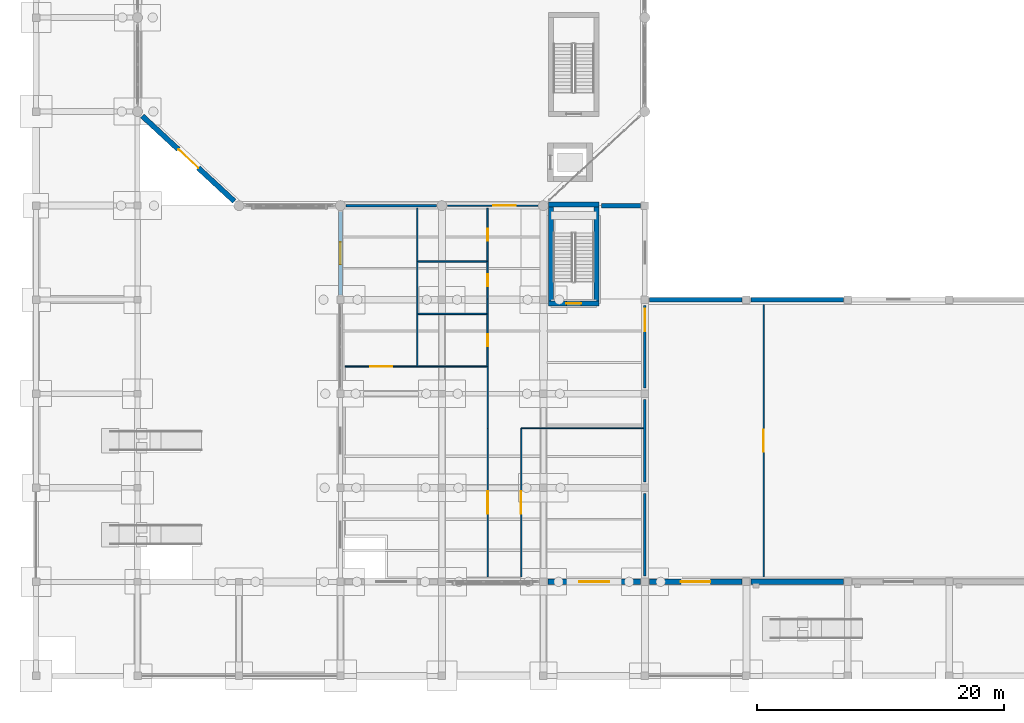
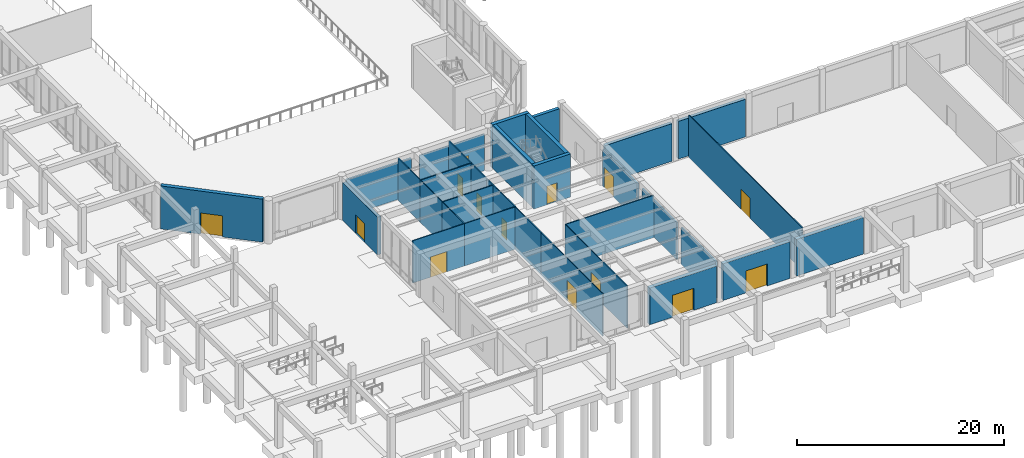
# One storey, part 42 of 64: 33 walls, 14 doors, 14 openings.
"""IFC4 building model written with IfcOpenShell, lengths in metres."""

from ifc_helpers import new_model, si_unit, direction, frame, frame_2d, origin, place, context, subcontext, project, spatial, rectangle, extrude, material, layer, layer_set, type_object, element, fill, save


model = new_model("IFC4")

# Units and contexts
model_context = context("Model", 3, precision=1e-05, world=origin(), true_north=direction((0.0, 1.0)))
body_context = subcontext(model_context, "Body", "Model", "MODEL_VIEW")
ifc_project = project(units=[si_unit("LENGTHUNIT", "METRE"), si_unit("AREAUNIT", "SQUARE_METRE"), si_unit("VOLUMEUNIT", "CUBIC_METRE"), si_unit("PLANEANGLEUNIT", "RADIAN"), si_unit("MASSUNIT", "GRAM", prefix="KILO")], contexts=[model_context])

# Site, building, storey
site_placement = place(None, origin())
site = spatial("IfcSite", under=ifc_project, at=site_placement, CompositionType="ELEMENT")
building_placement = place(site_placement, origin())
building = spatial("IfcBuilding", under=site, at=building_placement, Name="Qandaris Square Conservatory and Botanical Centre", CompositionType="ELEMENT")
storey_placement = place(building_placement, origin())
storey = spatial("IfcBuildingStorey", under=building, at=storey_placement, Name="L00", CompositionType="ELEMENT", Elevation=0.0)

# Walls
ifc_material_1 = material(Name="Precast concrete C40/50", Category="concrete")
ifc_layer_1 = layer(ifc_material_1, 0.360107421875)
ifc_layer_set_1 = layer_set([ifc_layer_1], Name="Precast concrete C40/50")
wall_type_1 = type_object("IfcWallType", Name="Architectural Precast Cladding Wall 360mm", PredefinedType="SOLIDWALL", material=ifc_layer_set_1)
for number, where, z_axis, x_axis, name in (
    (1, (73.239990234375, 39.39990234375, 0.0), (0.0, 0.0, 1.0), (-1.0, 0.0, 0.0), "Exterior Wall EW-V2-L00-3-4"),
    (2, (65.0400390625, 39.39990234375, 0.0), (0.0, 0.0, 1.0), (-1.0, 0.0, 0.0), "Exterior Wall EW-V2-L00-3-5"),
):
    element("IfcWall", number, at=place(storey_placement, frame(where, z_axis=z_axis, x_axis=x_axis)), inside=storey, type_object=wall_type_1, Name=name, PredefinedType="SOLIDWALL", context=body_context, shape_type="SweptSolid", body=[
        extrude(rectangle(XDim=7.47998046875, YDim=0.360107421875, at=frame_2d((3.739990234375, 0.0))), origin(), (0.0, 0.0, 1.0), 4.465087890625),
    ])
wall_1_placement = place(storey_placement, frame((53.7099609375, 47.0, 0.0), z_axis=(0.0, 0.0, 1.0), x_axis=(1.0, 0.0, 0.0)))
element("IfcWall", 3, at=wall_1_placement, inside=storey, type_object=wall_type_1, Name="Exterior Wall EW-V3A-L00-3-1", PredefinedType="SOLIDWALL", context=body_context, shape_type="SweptSolid", body=[
    extrude(rectangle(XDim=3.130126953125, YDim=0.360107421875, at=frame_2d((1.56494140625, 0.0))), origin(), (0.0, 0.0, 1.0), 4.465087890625),
])

# Wall, opening, door
wall_2_placement = place(storey_placement, frame((32.60009765625, 46.5400390625, 0.0), z_axis=(0.0, 0.0, 1.0), x_axis=(0.0, -1.0, 0.0)))
wall_2 = element("IfcWall", 4, at=wall_2_placement, inside=storey, type_object=wall_type_1, Name="Exterior Wall EW-V3A-L00-4-1", PredefinedType="SOLIDWALL", context=body_context, shape_type="SweptSolid", body=[
    extrude(rectangle(XDim=6.780029296875, YDim=0.360107421875, at=frame_2d((3.39013671875, 0.0))), origin(), (0.0, 0.0, 1.0), 4.465087890625),
])
opening_1_placement = place(wall_2_placement, frame((2.489990234375, 0.0, 0.0)))
opening_1 = element("IfcOpeningElement", 5, at=opening_1_placement, cuts=wall_2, Name="Opening ED-T3", PredefinedType="OPENING", context=body_context, shape_type="SweptSolid", body=[
    extrude(rectangle(XDim=1.800048828125, YDim=2.199951171875, at=frame_2d((0.89990234375, 1.10009765625))), frame((0.0, 0.19189453125, 0.0), z_axis=(0.0, -1.0, 0.0), x_axis=(1.0, 0.0, 0.0)), (0.0, 0.0, 1.0), 0.384033203125),
])
ifc_material_2 = material(Name="Anodised Aluminium", Category="aluminium")
door_type_1 = type_object("IfcDoorType", Name="Final Exit Escape Double Door 1800x2200", OperationType="DOUBLE_DOOR_SINGLE_SWING", PredefinedType="DOOR", material=ifc_material_2)
door_1_placement = place(opening_1_placement, frame((1.800048828125, 0.0, 0.0), z_axis=(0.0, 0.0, 1.0), x_axis=(-1.0, 0.0, 0.0)))
door_1 = element("IfcDoor", 6, at=door_1_placement, inside=storey, type_object=door_type_1, Name="DR-0079 Exterior Exit Door ED-10", OperationType="DOUBLE_DOOR_SINGLE_SWING", OverallHeight=2.199951171875, OverallWidth=1.800048828125, PredefinedType="DOOR", context=body_context, shape_type="SweptSolid", body=[
    extrude(rectangle(XDim=1.800048828125, YDim=2.199951171875, at=frame_2d((0.89990234375, 1.10009765625))), frame((0.0, 0.02490234375, 0.0), z_axis=(0.0, -1.0, 0.0), x_axis=(1.0, 0.0, 0.0)), (0.0, 0.0, 1.0), 0.050048828125),
])
fill(opening_1, door_1)

ifc_material_3 = material(Name="Tempered Low-E Glass", Category="glass")
ifc_layer_2 = layer(ifc_material_3, 0.10009765625)
ifc_layer_set_2 = layer_set([ifc_layer_2], Name="Tempered Low-E Glass")
wall_type_2 = type_object("IfcWallType", Name="Framed Acoustic Glazed Gallery Screen 100mm", PredefinedType="PARTITIONING", material=ifc_layer_set_2)
wall_3_placement = place(storey_placement, frame((41.25, 47.0, 0.0), z_axis=(0.0, 0.0, 1.0), x_axis=(1.0, 0.0, 0.0)))
wall_3 = element("IfcWall", 7, at=wall_3_placement, inside=storey, type_object=wall_type_2, Name="Compartment Wall PW-V3AV1-L00-2", PredefinedType="PARTITIONING", context=body_context, shape_type="SweptSolid", body=[
    extrude(rectangle(XDim=7.300048828125, YDim=0.10009765625, at=frame_2d((3.64990234375, 0.0))), origin(), (0.0, 0.0, 1.0), 4.3349609375),
])
opening_2_placement = place(wall_3_placement, frame((3.699951171875, 0.0, 0.0)))
opening_2 = element("IfcOpeningElement", 8, at=opening_2_placement, cuts=wall_3, Name="Opening D-GL1", PredefinedType="OPENING", context=body_context, shape_type="SweptSolid", body=[
    extrude(rectangle(XDim=1.800048828125, YDim=2.39990234375, at=frame_2d((0.89990234375, 1.199951171875))), frame((0.0, 0.06201171875, 0.0), z_axis=(0.0, -1.0, 0.0), x_axis=(1.0, 0.0, 0.0)), (0.0, 0.0, 1.0), 0.1240234375),
])
door_type_2 = type_object("IfcDoorType", Name="Visitor Gallery Glazed Double Door 1800x2400", OperationType="DOUBLE_DOOR_SINGLE_SWING", PredefinedType="DOOR", material=ifc_material_2)
door_2_placement = place(opening_2_placement, origin())
door_2 = element("IfcDoor", 9, at=door_2_placement, inside=storey, type_object=door_type_2, Name="DR-0048 Inter-Volume Connecting Door PVD-L00-V3AV1", OperationType="DOUBLE_DOOR_SINGLE_SWING", OverallHeight=2.39990234375, OverallWidth=1.800048828125, PredefinedType="DOOR", context=body_context, shape_type="SweptSolid", body=[
    extrude(rectangle(XDim=1.800048828125, YDim=2.39990234375, at=frame_2d((0.89990234375, 1.199951171875))), frame((0.0, 0.02490234375, 0.0), z_axis=(0.0, -1.0, 0.0), x_axis=(1.0, 0.0, 0.0)), (0.0, 0.0, 1.0), 0.050048828125),
])
fill(opening_2, door_2)

wall_4_placement = place(storey_placement, frame((66.800048828125, 39.0, 0.0), z_axis=(0.0, 0.0, 1.0), x_axis=(0.0, -1.0, 0.0)))
wall_4 = element("IfcWall", 10, at=wall_4_placement, inside=storey, type_object=wall_type_2, Name="Interior Partition IW-L00-0071", PredefinedType="PARTITIONING", context=body_context, shape_type="SweptSolid", body=[
    extrude(rectangle(XDim=22.0, YDim=0.10009765625, at=frame_2d((11.0, 0.0))), origin(), (0.0, 0.0, 1.0), 5.0048828125),
])
opening_3_placement = place(wall_4_placement, frame((10.10009765625, 0.0, 0.0)))
opening_3 = element("IfcOpeningElement", 11, at=opening_3_placement, cuts=wall_4, Name="Opening D-GL1", PredefinedType="OPENING", context=body_context, shape_type="SweptSolid", body=[
    extrude(rectangle(XDim=1.800048828125, YDim=2.39990234375, at=frame_2d((0.89990234375, 1.199951171875))), frame((0.0, 0.06201171875, 0.0), z_axis=(0.0, -1.0, 0.0), x_axis=(1.0, 0.0, 0.0)), (0.0, 0.0, 1.0), 0.1240234375),
])
door_3_placement = place(opening_3_placement, frame((1.800048828125, 0.0, 0.0), z_axis=(0.0, 0.0, 1.0), x_axis=(-1.0, 0.0, 0.0)))
door_3 = element("IfcDoor", 12, at=door_3_placement, inside=storey, type_object=door_type_2, Name="DR-0041 Auditorium Grand Foyer Door", OperationType="DOUBLE_DOOR_SINGLE_SWING", OverallHeight=2.39990234375, OverallWidth=1.800048828125, PredefinedType="DOOR", context=body_context, shape_type="SweptSolid", body=[
    extrude(rectangle(XDim=1.800048828125, YDim=2.39990234375, at=frame_2d((0.89990234375, 1.199951171875))), frame((0.0, 0.02490234375, 0.0), z_axis=(0.0, -1.0, 0.0), x_axis=(1.0, 0.0, 0.0)), (0.0, 0.0, 1.0), 0.050048828125),
])
fill(opening_3, door_3)

wall_5_placement = place(storey_placement, frame((44.5, 17.0, 0.0), z_axis=(0.0, 0.0, 1.0), x_axis=(0.0, 1.0, 0.0)))
wall_5 = element("IfcWall", 13, at=wall_5_placement, inside=storey, type_object=wall_type_2, Name="Interior Partition IW-L00-0075", PredefinedType="PARTITIONING", context=body_context, shape_type="SweptSolid", body=[
    extrude(rectangle(XDim=12.0, YDim=0.10009765625, at=frame_2d((6.0, 0.0))), origin(), (0.0, 0.0, 1.0), 5.0048828125),
])
opening_4_placement = place(wall_5_placement, frame((5.10009765625, 0.0, 0.0)))
opening_4 = element("IfcOpeningElement", 14, at=opening_4_placement, cuts=wall_5, Name="Opening D-GL1", PredefinedType="OPENING", context=body_context, shape_type="SweptSolid", body=[
    extrude(rectangle(XDim=1.800048828125, YDim=2.39990234375, at=frame_2d((0.89990234375, 1.199951171875))), frame((0.0, 0.06201171875, 0.0), z_axis=(0.0, -1.0, 0.0), x_axis=(1.0, 0.0, 0.0)), (0.0, 0.0, 1.0), 0.1240234375),
])
door_4_placement = place(opening_4_placement, frame((1.800048828125, 0.0, 0.0), z_axis=(0.0, 0.0, 1.0), x_axis=(-1.0, 0.0, 0.0)))
door_4 = element("IfcDoor", 15, at=door_4_placement, inside=storey, type_object=door_type_2, Name="DR-0042 Visitor Centre Welcome Hall and Ticketing Door", OperationType="DOUBLE_DOOR_SINGLE_SWING", OverallHeight=2.39990234375, OverallWidth=1.800048828125, PredefinedType="DOOR", context=body_context, shape_type="SweptSolid", body=[
    extrude(rectangle(XDim=1.800048828125, YDim=2.39990234375, at=frame_2d((0.89990234375, 1.199951171875))), frame((0.0, 0.02490234375, 0.0), z_axis=(0.0, -1.0, 0.0), x_axis=(1.0, 0.0, 0.0)), (0.0, 0.0, 1.0), 0.050048828125),
])
fill(opening_4, door_4)

# Walls
wall_6_placement = place(storey_placement, frame((44.5, 29.0, 0.0), z_axis=(0.0, 0.0, 1.0), x_axis=(0.0, 1.0, 0.0)))
element("IfcWall", 16, at=wall_6_placement, inside=storey, type_object=wall_type_2, Name="Interior Partition IW-L00-0076", PredefinedType="PARTITIONING", context=body_context, shape_type="SweptSolid", body=[
    extrude(rectangle(XDim=5.0, YDim=0.10009765625, at=frame_2d((2.5, 0.0))), origin(), (0.0, 0.0, 1.0), 5.0048828125),
])
wall_7_placement = place(storey_placement, frame((57.070068359375, 29.0, 0.0), z_axis=(0.0, 0.0, 1.0), x_axis=(-1.0, 0.0, 0.0)))
element("IfcWall", 17, at=wall_7_placement, inside=storey, type_object=wall_type_2, Name="Interior Partition IW-L00-0077", PredefinedType="PARTITIONING", context=body_context, shape_type="SweptSolid", body=[
    extrude(rectangle(XDim=9.8701171875, YDim=0.10009765625, at=frame_2d((4.93505859375, 0.0))), origin(), (0.0, 0.0, 1.0), 5.0048828125),
])

# Wall, opening, door
wall_8_placement = place(storey_placement, frame((47.199951171875, 29.0, 0.0), z_axis=(0.0, 0.0, 1.0), x_axis=(0.0, -1.0, 0.0)))
wall_8 = element("IfcWall", 18, at=wall_8_placement, inside=storey, type_object=wall_type_2, Name="Interior Partition IW-L00-0078", PredefinedType="PARTITIONING", context=body_context, shape_type="SweptSolid", body=[
    extrude(rectangle(XDim=12.0, YDim=0.10009765625, at=frame_2d((6.0, 0.0))), origin(), (0.0, 0.0, 1.0), 5.0048828125),
])
opening_5_placement = place(wall_8_placement, frame((5.10009765625, 0.0, 0.0)))
opening_5 = element("IfcOpeningElement", 19, at=opening_5_placement, cuts=wall_8, Name="Opening D-GL1", PredefinedType="OPENING", context=body_context, shape_type="SweptSolid", body=[
    extrude(rectangle(XDim=1.800048828125, YDim=2.39990234375, at=frame_2d((0.89990234375, 1.199951171875))), frame((0.0, 0.06201171875, 0.0), z_axis=(0.0, -1.0, 0.0), x_axis=(1.0, 0.0, 0.0)), (0.0, 0.0, 1.0), 0.1240234375),
])
door_5_placement = place(opening_5_placement, origin())
door_5 = element("IfcDoor", 20, at=door_5_placement, inside=storey, type_object=door_type_2, Name="DR-0043 Botanical Bookshop and Specimen Counter Door", OperationType="DOUBLE_DOOR_SINGLE_SWING", OverallHeight=2.39990234375, OverallWidth=1.800048828125, PredefinedType="DOOR", context=body_context, shape_type="SweptSolid", body=[
    extrude(rectangle(XDim=1.800048828125, YDim=2.39990234375, at=frame_2d((0.89990234375, 1.199951171875))), frame((0.0, 0.02490234375, 0.0), z_axis=(0.0, -1.0, 0.0), x_axis=(1.0, 0.0, 0.0)), (0.0, 0.0, 1.0), 0.050048828125),
])
fill(opening_5, door_5)

wall_9_placement = place(storey_placement, frame((33.0, 34.0, 0.0), z_axis=(0.0, 0.0, 1.0), x_axis=(1.0, 0.0, 0.0)))
wall_9 = element("IfcWall", 21, at=wall_9_placement, inside=storey, type_object=wall_type_2, Name="Interior Partition IW-L00-0083", PredefinedType="PARTITIONING", context=body_context, shape_type="SweptSolid", body=[
    extrude(rectangle(XDim=5.800048828125, YDim=0.10009765625, at=frame_2d((2.89990234375, 0.0))), origin(), (0.0, 0.0, 1.0), 5.0048828125),
])
opening_6_placement = place(wall_9_placement, frame((2.0, 0.0, 0.0)))
opening_6 = element("IfcOpeningElement", 22, at=opening_6_placement, cuts=wall_9, Name="Opening D-GL1", PredefinedType="OPENING", context=body_context, shape_type="SweptSolid", body=[
    extrude(rectangle(XDim=1.800048828125, YDim=2.39990234375, at=frame_2d((0.89990234375, 1.199951171875))), frame((0.0, 0.06201171875, 0.0), z_axis=(0.0, -1.0, 0.0), x_axis=(1.0, 0.0, 0.0)), (0.0, 0.0, 1.0), 0.1240234375),
])
door_6_placement = place(opening_6_placement, origin())
door_6 = element("IfcDoor", 23, at=door_6_placement, inside=storey, type_object=door_type_2, Name="DR-0044 Visitor Centre Welcome Hall and Ticketing Door", OperationType="DOUBLE_DOOR_SINGLE_SWING", OverallHeight=2.39990234375, OverallWidth=1.800048828125, PredefinedType="DOOR", context=body_context, shape_type="SweptSolid", body=[
    extrude(rectangle(XDim=1.800048828125, YDim=2.39990234375, at=frame_2d((0.89990234375, 1.199951171875))), frame((0.0, 0.02490234375, 0.0), z_axis=(0.0, -1.0, 0.0), x_axis=(1.0, 0.0, 0.0)), (0.0, 0.0, 1.0), 0.050048828125),
])
fill(opening_6, door_6)

# Walls
wall_10_placement = place(storey_placement, frame((38.800048828125, 34.0, 0.0), z_axis=(0.0, 0.0, 1.0), x_axis=(1.0, 0.0, 0.0)))
element("IfcWall", 24, at=wall_10_placement, inside=storey, type_object=wall_type_2, Name="Interior Partition IW-L00-0084", PredefinedType="PARTITIONING", context=body_context, shape_type="SweptSolid", body=[
    extrude(rectangle(XDim=5.699951171875, YDim=0.10009765625, at=frame_2d((2.85009765625, 0.0))), origin(), (0.0, 0.0, 1.0), 5.0048828125),
])
for number, where, z_axis, x_axis, name in (
    (25, (38.800048828125, 38.25, 0.0), (0.0, 0.0, 1.0), (0.0, -1.0, 0.0), "Interior Partition IW-L00-0085"),
    (26, (38.800048828125, 42.5, 0.0), (0.0, 0.0, 1.0), (0.0, -1.0, 0.0), "Interior Partition IW-L00-0086"),
):
    element("IfcWall", number, at=place(storey_placement, frame(where, z_axis=z_axis, x_axis=x_axis)), inside=storey, type_object=wall_type_2, Name=name, PredefinedType="PARTITIONING", context=body_context, shape_type="SweptSolid", body=[
        extrude(rectangle(XDim=4.25, YDim=0.10009765625, at=frame_2d((2.125, 0.0))), origin(), (0.0, 0.0, 1.0), 5.0048828125),
    ])
wall_11_placement = place(storey_placement, frame((38.800048828125, 46.800048828125, 0.0), z_axis=(0.0, 0.0, 1.0), x_axis=(0.0, -1.0, 0.0)))
element("IfcWall", 27, at=wall_11_placement, inside=storey, type_object=wall_type_2, Name="Interior Partition IW-L00-0087", PredefinedType="PARTITIONING", context=body_context, shape_type="SweptSolid", body=[
    extrude(rectangle(XDim=4.300048828125, YDim=0.10009765625, at=frame_2d((2.14990234375, 0.0))), origin(), (0.0, 0.0, 1.0), 5.0048828125),
])
ifc_material_4 = material(Name="Concrete C40/50", Category="concrete")
ifc_layer_3 = layer(ifc_material_4, 0.199951171875)
ifc_layer_set_3 = layer_set([ifc_layer_3], Name="Concrete C40/50")
wall_type_3 = type_object("IfcWallType", Name="Herbarium & Plant Compartment Wall 200mm", PredefinedType="PARTITIONING", material=ifc_layer_set_3)
wall_12_placement = place(storey_placement, frame((57.199951171875, 17.050048828125, 0.0), z_axis=(0.0, 0.0, 1.0), x_axis=(0.0, 1.0, 0.0)))
element("IfcWall", 28, at=wall_12_placement, inside=storey, type_object=wall_type_3, Name="Compartment Wall PW-V3AV2-L00-1", PredefinedType="PARTITIONING", context=body_context, shape_type="SweptSolid", body=[
    extrude(rectangle(XDim=6.699951171875, YDim=0.199951171875, at=frame_2d((3.35009765625, 0.0))), origin(), (0.0, 0.0, 1.0), 4.3349609375),
])
wall_13_placement = place(storey_placement, frame((57.199951171875, 24.64990234375, 0.0), z_axis=(0.0, 0.0, 1.0), x_axis=(0.0, 1.0, 0.0)))
element("IfcWall", 29, at=wall_13_placement, inside=storey, type_object=wall_type_3, Name="Compartment Wall PW-V3AV2-L00-2", PredefinedType="PARTITIONING", context=body_context, shape_type="SweptSolid", body=[
    extrude(rectangle(XDim=6.7001953125, YDim=0.199951171875, at=frame_2d((3.35009765625, 0.0))), origin(), (0.0, 0.0, 1.0), 4.3349609375),
])

# Wall, opening, door
wall_14_placement = place(storey_placement, frame((57.199951171875, 32.25, 0.0), z_axis=(0.0, 0.0, 1.0), x_axis=(0.0, 1.0, 0.0)))
wall_14 = element("IfcWall", 30, at=wall_14_placement, inside=storey, type_object=wall_type_3, Name="Compartment Wall PW-V3AV2-L00-3", PredefinedType="PARTITIONING", context=body_context, shape_type="SweptSolid", body=[
    extrude(rectangle(XDim=6.699951171875, YDim=0.199951171875, at=frame_2d((3.35009765625, 0.0))), origin(), (0.0, 0.0, 1.0), 4.3349609375),
])
opening_7_placement = place(wall_14_placement, frame((4.60009765625, 0.0, 0.0)))
opening_7 = element("IfcOpeningElement", 31, at=opening_7_placement, cuts=wall_14, Name="Opening D-AUD1", PredefinedType="OPENING", context=body_context, shape_type="SweptSolid", body=[
    extrude(rectangle(XDim=1.800048828125, YDim=2.39990234375, at=frame_2d((0.89990234375, 1.199951171875))), frame((0.0, 0.11181640625, 0.0), z_axis=(0.0, -1.0, 0.0), x_axis=(1.0, 0.0, 0.0)), (0.0, 0.0, 1.0), 0.223876953125),
])
ifc_material_5 = material(Name="Engineered Oak Timber", Category="wood")
door_type_3 = type_object("IfcDoorType", Name="Auditorium Acoustic Vestibule Double Door 1800x2400", OperationType="DOUBLE_DOOR_SINGLE_SWING", PredefinedType="DOOR", material=ifc_material_5)
door_7_placement = place(opening_7_placement, origin())
door_7 = element("IfcDoor", 32, at=door_7_placement, inside=storey, type_object=door_type_3, Name="DR-0034 Inter-Volume Connecting Door PVD-L00-V3AV2", OperationType="DOUBLE_DOOR_SINGLE_SWING", OverallHeight=2.39990234375, OverallWidth=1.800048828125, PredefinedType="DOOR", context=body_context, shape_type="SweptSolid", body=[
    extrude(rectangle(XDim=1.800048828125, YDim=2.39990234375, at=frame_2d((0.89990234375, 1.199951171875))), frame((0.0, 0.02490234375, 0.0), z_axis=(0.0, -1.0, 0.0), x_axis=(1.0, 0.0, 0.0)), (0.0, 0.0, 1.0), 0.050048828125),
])
fill(opening_7, door_7)

# Wall
wall_15_placement = place(storey_placement, frame((33.050048828125, 47.0, 0.0), z_axis=(0.0, 0.0, 1.0), x_axis=(1.0, 0.0, 0.0)))
element("IfcWall", 33, at=wall_15_placement, inside=storey, type_object=wall_type_3, Name="Compartment Wall PW-V3AV1-L00-1", PredefinedType="PARTITIONING", context=body_context, shape_type="SweptSolid", body=[
    extrude(rectangle(XDim=7.300048828125, YDim=0.199951171875, at=frame_2d((3.64990234375, 0.0))), origin(), (0.0, 0.0, 1.0), 4.3349609375),
])

# Wall, opening, door
ifc_layer_4 = layer(ifc_material_4, 0.419921875)
ifc_layer_set_4 = layer_set([ifc_layer_4], Name="Concrete C40/50")
wall_type_4 = type_object("IfcWallType", Name="Insulated Qatari Limestone Cavity Wall 420mm", PredefinedType="SOLIDWALL", material=ifc_layer_set_4)
wall_16_placement = place(storey_placement, frame((16.581298828125, 54.24658203125, 0.0), z_axis=(0.0, 0.0, 1.0), x_axis=(0.73343029662, -0.67976466516, 0.0)))
wall_16 = element("IfcWall", 34, at=wall_16_placement, inside=storey, type_object=wall_type_4, Name="Conservatory Entrance Limestone Portal", PredefinedType="SOLIDWALL", context=body_context, shape_type="SweptSolid", body=[
    extrude(rectangle(XDim=10.140380859375, YDim=0.419921875, at=frame_2d((5.0703125, 0.0))), origin(), (0.0, 0.0, 1.0), 5.0849609375),
])
opening_8_placement = place(wall_16_placement, frame((3.97021484375, 0.0, 0.0)))
opening_8 = element("IfcOpeningElement", 35, at=opening_8_placement, cuts=wall_16, Name="Opening ED-T2", PredefinedType="OPENING", context=body_context, shape_type="SweptSolid", body=[
    extrude(rectangle(XDim=2.199951171875, YDim=2.5, at=frame_2d((1.10009765625, 1.25))), frame((0.0, 0.221923828125, 0.0), z_axis=(0.0, -1.0, 0.0), x_axis=(1.0, 0.0, 0.0)), (0.0, 0.0, 1.0), 0.44384765625),
])
door_type_4 = type_object("IfcDoorType", Name="Conservatory Biome Vestibule Double Door 2200x2500", OperationType="DOUBLE_DOOR_SINGLE_SWING", PredefinedType="DOOR", material=ifc_material_2)
door_8_placement = place(opening_8_placement, frame((2.199951171875, 0.0, 0.0), z_axis=(0.0, 0.0, 1.0), x_axis=(-1.0, 0.0, 0.0)))
door_8 = element("IfcDoor", 36, at=door_8_placement, inside=storey, type_object=door_type_4, Name="DR-0075 Conservatory West Forecourt Entrance ED-01", OperationType="DOUBLE_DOOR_SINGLE_SWING", OverallHeight=2.5, OverallWidth=2.199951171875, PredefinedType="DOOR", context=body_context, shape_type="SweptSolid", body=[
    extrude(rectangle(XDim=2.199951171875, YDim=2.5, at=frame_2d((1.10009765625, 1.25))), frame((0.0, 0.02490234375, 0.0), z_axis=(0.0, -1.0, 0.0), x_axis=(1.0, 0.0, 0.0)), (0.0, 0.0, 1.0), 0.050048828125),
])
fill(opening_8, door_8)

wall_17_placement = place(storey_placement, frame((57.56005859375, 16.60009765625, 0.0), z_axis=(0.0, 0.0, 1.0), x_axis=(1.0, 0.0, 0.0)))
wall_17 = element("IfcWall", 37, at=wall_17_placement, inside=storey, type_object=wall_type_4, Name="Exterior Wall EW-V2-L00-1-1", PredefinedType="SOLIDWALL", context=body_context, shape_type="SweptSolid", body=[
    extrude(rectangle(XDim=7.47998046875, YDim=0.419921875, at=frame_2d((3.739990234375, 0.0))), origin(), (0.0, 0.0, 1.0), 4.3349609375),
])
opening_9_placement = place(wall_17_placement, frame((2.5400390625, 0.0, 0.0)))
opening_9 = element("IfcOpeningElement", 38, at=opening_9_placement, cuts=wall_17, Name="Opening ED-T1", PredefinedType="OPENING", context=body_context, shape_type="SweptSolid", body=[
    extrude(rectangle(XDim=2.39990234375, YDim=2.60009765625, at=frame_2d((1.199951171875, 1.300048828125))), frame((0.0, 0.221923828125, 0.0), z_axis=(0.0, -1.0, 0.0), x_axis=(1.0, 0.0, 0.0)), (0.0, 0.0, 1.0), 0.44384765625),
])
door_type_5 = type_object("IfcDoorType", Name="Main Civic Entrance Double Glazed Door 2400x2600", OperationType="DOUBLE_DOOR_SINGLE_SWING", PredefinedType="DOOR", material=ifc_material_2)
door_9_placement = place(opening_9_placement, frame((2.39990234375, 0.0, 0.0), z_axis=(0.0, 0.0, 1.0), x_axis=(-1.0, 0.0, 0.0)))
door_9 = element("IfcDoor", 39, at=door_9_placement, inside=storey, type_object=door_type_5, Name="DR-0069 Exterior Exit Door ED-02", OperationType="DOUBLE_DOOR_SINGLE_SWING", OverallHeight=2.60009765625, OverallWidth=2.39990234375, PredefinedType="DOOR", context=body_context, shape_type="SweptSolid", body=[
    extrude(rectangle(XDim=2.39990234375, YDim=2.60009765625, at=frame_2d((1.199951171875, 1.300048828125))), frame((0.0, 0.02490234375, 0.0), z_axis=(0.0, -1.0, 0.0), x_axis=(1.0, 0.0, 0.0)), (0.0, 0.0, 1.0), 0.050048828125),
])
fill(opening_9, door_9)

# Wall
wall_18_placement = place(storey_placement, frame((65.760009765625, 16.60009765625, 0.0), z_axis=(0.0, 0.0, 1.0), x_axis=(1.0, 0.0, 0.0)))
element("IfcWall", 40, at=wall_18_placement, inside=storey, type_object=wall_type_4, Name="Exterior Wall EW-V2-L00-1-2", PredefinedType="SOLIDWALL", context=body_context, shape_type="SweptSolid", body=[
    extrude(rectangle(XDim=7.47998046875, YDim=0.419921875, at=frame_2d((3.739990234375, 0.0))), origin(), (0.0, 0.0, 1.0), 4.3349609375),
])

# Wall, opening, door
wall_19_placement = place(storey_placement, frame((49.360107421875, 16.60009765625, 0.0), z_axis=(0.0, 0.0, 1.0), x_axis=(1.0, 0.0, 0.0)))
wall_19 = element("IfcWall", 41, at=wall_19_placement, inside=storey, type_object=wall_type_4, Name="Exterior Wall EW-V3A-L00-1-3", PredefinedType="SOLIDWALL", context=body_context, shape_type="SweptSolid", body=[
    extrude(rectangle(XDim=7.47998046875, YDim=0.419921875, at=frame_2d((3.739990234375, 0.0))), origin(), (0.0, 0.0, 1.0), 4.3349609375),
])
opening_10_placement = place(wall_19_placement, frame((2.5400390625, 0.0, 0.0)))
opening_10 = element("IfcOpeningElement", 42, at=opening_10_placement, cuts=wall_19, Name="Opening ED-T1", PredefinedType="OPENING", context=body_context, shape_type="SweptSolid", body=[
    extrude(rectangle(XDim=2.39990234375, YDim=2.60009765625, at=frame_2d((1.199951171875, 1.300048828125))), frame((0.0, 0.221923828125, 0.0), z_axis=(0.0, -1.0, 0.0), x_axis=(1.0, 0.0, 0.0)), (0.0, 0.0, 1.0), 0.44384765625),
])
door_10_placement = place(opening_10_placement, frame((2.39990234375, 0.0, 0.0), z_axis=(0.0, 0.0, 1.0), x_axis=(-1.0, 0.0, 0.0)))
door_10 = element("IfcDoor", 43, at=door_10_placement, inside=storey, type_object=door_type_5, Name="DR-0072 Exterior Exit Door ED-07", OperationType="DOUBLE_DOOR_SINGLE_SWING", OverallHeight=2.60009765625, OverallWidth=2.39990234375, PredefinedType="DOOR", context=body_context, shape_type="SweptSolid", body=[
    extrude(rectangle(XDim=2.39990234375, YDim=2.60009765625, at=frame_2d((1.199951171875, 1.300048828125))), frame((0.0, 0.02490234375, 0.0), z_axis=(0.0, -1.0, 0.0), x_axis=(1.0, 0.0, 0.0)), (0.0, 0.0, 1.0), 0.050048828125),
])
fill(opening_10, door_10)

ifc_material_6 = material(Name="Concrete C50/60", Category="concrete")
ifc_layer_5 = layer(ifc_material_6, 0.39990234375)
ifc_layer_set_5 = layer_set([ifc_layer_5], Name="Concrete C50/60")
wall_type_5 = type_object("IfcWallType", Name="RC Stair Core Shear Wall 400mm", PredefinedType="SHEAR", material=ifc_layer_set_5)
wall_20_placement = place(storey_placement, frame((49.39990234375, 39.10009765625, 0.0), z_axis=(0.0, 0.0, 1.0), x_axis=(1.0, 0.0, 0.0)))
wall_20 = element("IfcWall", 44, at=wall_20_placement, inside=storey, type_object=wall_type_5, Name="ST-4 Core Shear Wall South (L00)", PredefinedType="SHEAR", context=body_context, shape_type="SweptSolid", body=[
    extrude(rectangle(XDim=4.10009765625, YDim=0.39990234375, at=frame_2d((2.050048828125, 0.0))), origin(), (0.0, 0.0, 1.0), 5.10009765625),
])
opening_11_placement = place(wall_20_placement, frame((1.449951171875, 0.0, 0.0)))
opening_11 = element("IfcOpeningElement", 45, at=opening_11_placement, cuts=wall_20, Name="Opening D-ST1", PredefinedType="OPENING", context=body_context, shape_type="SweptSolid", body=[
    extrude(rectangle(XDim=1.199951171875, YDim=2.199951171875, at=frame_2d((0.60009765625, 1.10009765625))), frame((0.0, 0.2119140625, 0.0), z_axis=(0.0, -1.0, 0.0), x_axis=(1.0, 0.0, 0.0)), (0.0, 0.0, 1.0), 0.423828125),
])
ifc_material_7 = material(Name="Steel S355", Category="steel")
door_type_6 = type_object("IfcDoorType", Name="Exit Stair Core Fire Door 1200x2200", OperationType="NOTDEFINED", PredefinedType="DOOR", material=ifc_material_7)
door_11_placement = place(opening_11_placement, frame((1.199951171875, 0.0, 0.0), z_axis=(0.0, 0.0, 1.0), x_axis=(-1.0, 0.0, 0.0)))
door_11 = element("IfcDoor", 46, at=door_11_placement, inside=storey, type_object=door_type_6, Name="DR-0059 ST-4 Stair Core Door (L00)", OperationType="SINGLE_SWING_RIGHT", OverallHeight=2.199951171875, OverallWidth=1.199951171875, PredefinedType="DOOR", context=body_context, shape_type="SweptSolid", body=[
    extrude(rectangle(XDim=1.199951171875, YDim=2.199951171875, at=frame_2d((0.60009765625, 1.10009765625))), frame((0.0, 0.02490234375, 0.0), z_axis=(0.0, -1.0, 0.0), x_axis=(1.0, 0.0, 0.0)), (0.0, 0.0, 1.0), 0.050048828125),
])
fill(opening_11, door_11)

# Walls
wall_21_placement = place(storey_placement, frame((49.39990234375, 47.10009765625, 0.0), z_axis=(0.0, 0.0, 1.0), x_axis=(1.0, 0.0, 0.0)))
element("IfcWall", 47, at=wall_21_placement, inside=storey, type_object=wall_type_5, Name="ST-4 Core Shear Wall North (L00)", PredefinedType="SHEAR", context=body_context, shape_type="SweptSolid", body=[
    extrude(rectangle(XDim=4.10009765625, YDim=0.39990234375, at=frame_2d((2.050048828125, 0.0))), origin(), (0.0, 0.0, 1.0), 5.10009765625),
])
for number, where, z_axis, x_axis, name in (
    (48, (49.60009765625, 39.300048828125, 0.0), (0.0, 0.0, 1.0), (0.0, 1.0, 0.0), "ST-4 Core Shear Wall West (L00)"),
    (49, (53.300048828125, 39.300048828125, 0.0), (0.0, 0.0, 1.0), (0.0, 1.0, 0.0), "ST-4 Core Shear Wall East (L00)"),
):
    element("IfcWall", number, at=place(storey_placement, frame(where, z_axis=z_axis, x_axis=x_axis)), inside=storey, type_object=wall_type_5, Name=name, PredefinedType="SHEAR", context=body_context, shape_type="SweptSolid", body=[
        extrude(rectangle(XDim=7.599853515625, YDim=0.39990234375, at=frame_2d((3.7998046875, 0.0))), origin(), (0.0, 0.0, 1.0), 5.10009765625),
    ])

# Wall, opening, door
ifc_material_8 = material(Name="Gypsum Plasterboard", Category="gypsum")
ifc_layer_6 = layer(ifc_material_8, 0.1201171875)
ifc_layer_set_6 = layer_set([ifc_layer_6], Name="Gypsum Plasterboard")
wall_type_6 = type_object("IfcWallType", Name="Standard Research Partition 120mm", PredefinedType="PARTITIONING", material=ifc_layer_set_6)
wall_22_placement = place(storey_placement, frame((44.5, 34.0, 0.0), z_axis=(0.0, 0.0, 1.0), x_axis=(0.0, 1.0, 0.0)))
wall_22 = element("IfcWall", 50, at=wall_22_placement, inside=storey, type_object=wall_type_6, Name="Interior Partition IW-L00-0079", PredefinedType="PARTITIONING", context=body_context, shape_type="SweptSolid", body=[
    extrude(rectangle(XDim=4.25, YDim=0.1201171875, at=frame_2d((2.125, 0.0))), origin(), (0.0, 0.0, 1.0), 5.0048828125),
])
opening_12_placement = place(wall_22_placement, frame((1.64990234375, 0.0, 0.0)))
opening_12 = element("IfcOpeningElement", 51, at=opening_12_placement, cuts=wall_22, Name="Opening D-WC1", PredefinedType="OPENING", context=body_context, shape_type="SweptSolid", body=[
    extrude(rectangle(XDim=0.949951171875, YDim=2.14990234375, at=frame_2d((0.47509765625, 1.074951171875))), frame((0.0, 0.072021484375, 0.0), z_axis=(0.0, -1.0, 0.0), x_axis=(1.0, 0.0, 0.0)), (0.0, 0.0, 1.0), 0.14404296875),
])
door_type_7 = type_object("IfcDoorType", Name="Accessible Sanitary Room Door 950x2150", OperationType="NOTDEFINED", PredefinedType="DOOR", material=ifc_material_5)
door_12_placement = place(opening_12_placement, frame((0.949951171875, 0.0, 0.0), z_axis=(0.0, 0.0, 1.0), x_axis=(-1.0, 0.0, 0.0)))
door_12 = element("IfcDoor", 52, at=door_12_placement, inside=storey, type_object=door_type_7, Name="DR-0065 Visitor Accessible Restroom Door", OperationType="SINGLE_SWING_RIGHT", OverallHeight=2.14990234375, OverallWidth=0.949951171875, PredefinedType="DOOR", context=body_context, shape_type="SweptSolid", body=[
    extrude(rectangle(XDim=0.949951171875, YDim=2.14990234375, at=frame_2d((0.47509765625, 1.074951171875))), frame((0.0, 0.02490234375, 0.0), z_axis=(0.0, -1.0, 0.0), x_axis=(1.0, 0.0, 0.0)), (0.0, 0.0, 1.0), 0.050048828125),
])
fill(opening_12, door_12)

# Wall
wall_23_placement = place(storey_placement, frame((44.5, 38.25, 0.0), z_axis=(0.0, 0.0, 1.0), x_axis=(0.0, 1.0, 0.0)))
element("IfcWall", 53, at=wall_23_placement, inside=storey, type_object=wall_type_6, Name="Interior Partition IW-L00-0080", PredefinedType="PARTITIONING", context=body_context, shape_type="SweptSolid", body=[
    extrude(rectangle(XDim=1.199951171875, YDim=0.1201171875, at=frame_2d((0.60009765625, 0.0))), origin(), (0.0, 0.0, 1.0), 5.0048828125),
])

# Wall, opening, door
wall_24_placement = place(storey_placement, frame((44.5, 39.449951171875, 0.0), z_axis=(0.0, 0.0, 1.0), x_axis=(0.0, 1.0, 0.0)))
wall_24 = element("IfcWall", 54, at=wall_24_placement, inside=storey, type_object=wall_type_6, Name="Interior Partition IW-L00-0081", PredefinedType="PARTITIONING", context=body_context, shape_type="SweptSolid", body=[
    extrude(rectangle(XDim=3.050048828125, YDim=0.1201171875, at=frame_2d((1.52490234375, 0.0))), origin(), (0.0, 0.0, 1.0), 5.0048828125),
])
opening_13_placement = place(wall_24_placement, frame((1.050048828125, 0.0, 0.0)))
opening_13 = element("IfcOpeningElement", 55, at=opening_13_placement, cuts=wall_24, Name="Opening D-WC1", PredefinedType="OPENING", context=body_context, shape_type="SweptSolid", body=[
    extrude(rectangle(XDim=0.949951171875, YDim=2.14990234375, at=frame_2d((0.47509765625, 1.074951171875))), frame((0.0, 0.072021484375, 0.0), z_axis=(0.0, -1.0, 0.0), x_axis=(1.0, 0.0, 0.0)), (0.0, 0.0, 1.0), 0.14404296875),
])
door_13_placement = place(opening_13_placement, origin())
door_13 = element("IfcDoor", 56, at=door_13_placement, inside=storey, type_object=door_type_7, Name="DR-0066 Visitor Male Restroom Door", OperationType="SINGLE_SWING_LEFT", OverallHeight=2.14990234375, OverallWidth=0.949951171875, PredefinedType="DOOR", context=body_context, shape_type="SweptSolid", body=[
    extrude(rectangle(XDim=0.949951171875, YDim=2.14990234375, at=frame_2d((0.47509765625, 1.074951171875))), frame((0.0, 0.02490234375, 0.0), z_axis=(0.0, -1.0, 0.0), x_axis=(1.0, 0.0, 0.0)), (0.0, 0.0, 1.0), 0.050048828125),
])
fill(opening_13, door_13)

wall_25_placement = place(storey_placement, frame((44.5, 42.5, 0.0), z_axis=(0.0, 0.0, 1.0), x_axis=(0.0, 1.0, 0.0)))
wall_25 = element("IfcWall", 57, at=wall_25_placement, inside=storey, type_object=wall_type_6, Name="Interior Partition IW-L00-0082", PredefinedType="PARTITIONING", context=body_context, shape_type="SweptSolid", body=[
    extrude(rectangle(XDim=4.300048828125, YDim=0.1201171875, at=frame_2d((2.14990234375, 0.0))), origin(), (0.0, 0.0, 1.0), 5.0048828125),
])
opening_14_placement = place(wall_25_placement, frame((1.675048828125, 0.0, 0.0)))
opening_14 = element("IfcOpeningElement", 58, at=opening_14_placement, cuts=wall_25, Name="Opening D-WC1", PredefinedType="OPENING", context=body_context, shape_type="SweptSolid", body=[
    extrude(rectangle(XDim=0.949951171875, YDim=2.14990234375, at=frame_2d((0.47509765625, 1.074951171875))), frame((0.0, 0.072021484375, 0.0), z_axis=(0.0, -1.0, 0.0), x_axis=(1.0, 0.0, 0.0)), (0.0, 0.0, 1.0), 0.14404296875),
])
door_14_placement = place(opening_14_placement, frame((0.949951171875, 0.0, 0.0), z_axis=(0.0, 0.0, 1.0), x_axis=(-1.0, 0.0, 0.0)))
door_14 = element("IfcDoor", 59, at=door_14_placement, inside=storey, type_object=door_type_7, Name="DR-0067 Visitor Female Restroom Door", OperationType="SINGLE_SWING_RIGHT", OverallHeight=2.14990234375, OverallWidth=0.949951171875, PredefinedType="DOOR", context=body_context, shape_type="SweptSolid", body=[
    extrude(rectangle(XDim=0.949951171875, YDim=2.14990234375, at=frame_2d((0.47509765625, 1.074951171875))), frame((0.0, 0.02490234375, 0.0), z_axis=(0.0, -1.0, 0.0), x_axis=(1.0, 0.0, 0.0)), (0.0, 0.0, 1.0), 0.050048828125),
])
fill(opening_14, door_14)

# Walls
for number, where, z_axis, x_axis, name in (
    (60, (38.800048828125, 38.25, 0.0), (0.0, 0.0, 1.0), (1.0, 0.0, 0.0), "Interior Partition IW-L00-0088"),
    (61, (38.800048828125, 42.5, 0.0), (0.0, 0.0, 1.0), (1.0, 0.0, 0.0), "Interior Partition IW-L00-0089"),
):
    element("IfcWall", number, at=place(storey_placement, frame(where, z_axis=z_axis, x_axis=x_axis)), inside=storey, type_object=wall_type_6, Name=name, PredefinedType="PARTITIONING", context=body_context, shape_type="SweptSolid", body=[
        extrude(rectangle(XDim=5.699951171875, YDim=0.1201171875, at=frame_2d((2.85009765625, 0.0))), origin(), (0.0, 0.0, 1.0), 5.0048828125),
    ])

save(model, "model.ifc")
